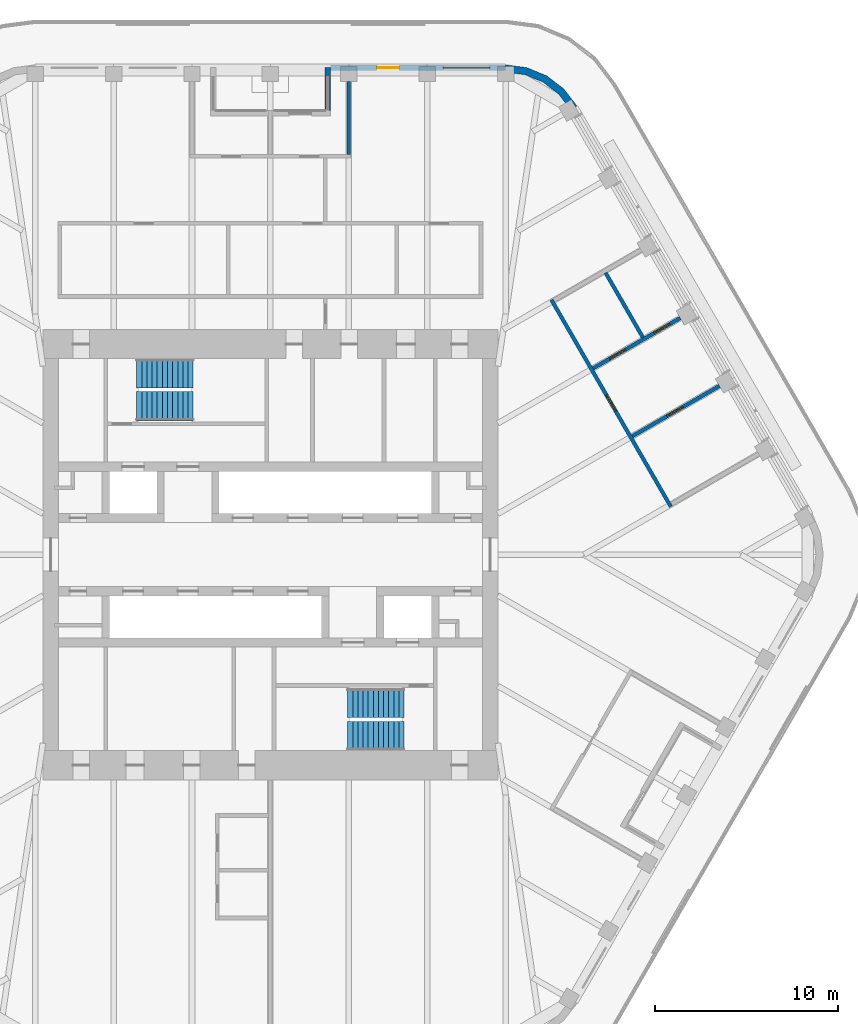
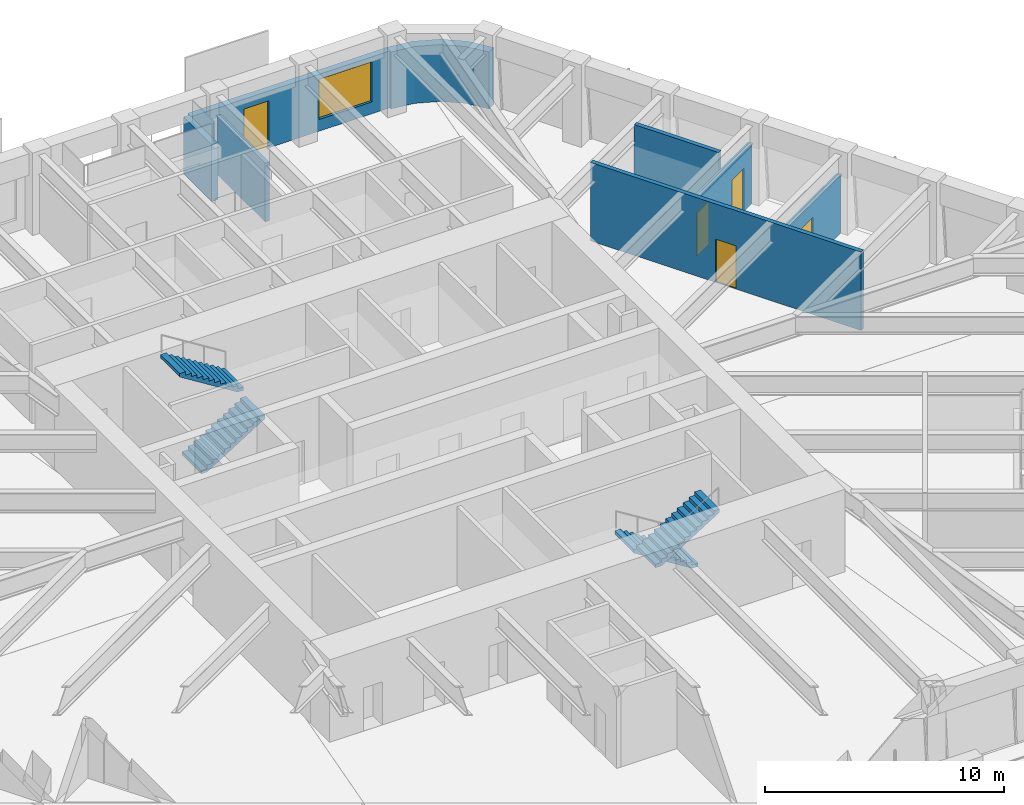
# One storey, part 16 of 19: 8 walls, 5 doors, 4 stair flights, 1 window, 6 openings, 2 elements without a shape of their own.
"""IFC4 building model written with IfcOpenShell, lengths in metres."""

from ifc_helpers import new_model, si_unit, direction, frame, frame_2d, origin, place, context, subcontext, project, spatial, polyline, rectangle, outline, extrude, material, layer, layer_set, type_object, element, fill, aggregate, save


model = new_model("IFC4")

# Units and contexts
model_context = context("Model", 3, precision=1e-05, world=origin(), true_north=direction((0.0, 1.0)))
body_context = subcontext(model_context, "Body", "Model", "MODEL_VIEW")
ifc_project = project(units=[si_unit("LENGTHUNIT", "METRE"), si_unit("AREAUNIT", "SQUARE_METRE"), si_unit("VOLUMEUNIT", "CUBIC_METRE"), si_unit("PLANEANGLEUNIT", "RADIAN"), si_unit("MASSUNIT", "GRAM", prefix="KILO")], contexts=[model_context])

# Site, building, storey
site_placement = place(None, origin())
site = spatial("IfcSite", under=ifc_project, at=site_placement, CompositionType="ELEMENT")
building_placement = place(site_placement, origin())
building = spatial("IfcBuilding", under=site, at=building_placement, Name="Tarfa Lantern Tower", CompositionType="ELEMENT")
storey_placement = place(building_placement, frame((0.0, 0.0, 370.300048828125)))
storey = spatial("IfcBuildingStorey", under=building, at=storey_placement, Name="L84", CompositionType="ELEMENT", Elevation=370.300048828125)

# Wall, openings, door, window
ifc_material_1 = material(Name="Limestone cladding on blockwork", Category="masonry")
ifc_layer_1 = layer(ifc_material_1, 0.300048828125)
ifc_layer_set_1 = layer_set([ifc_layer_1], Name="EW1 STONE-CLAD WALL 300")
wall_type_1 = type_object("IfcWallType", Name="EW1 STONE-CLAD WALL 300", PredefinedType="SOLIDWALL", material=ifc_layer_set_1)
wall_1_placement = place(storey_placement, frame((12.845947265625, 26.60009765625, 0.0), z_axis=(0.0, 0.0, 1.0), x_axis=(-1.0, 0.0, 0.0)))
wall_1 = element("IfcWall", 1, at=wall_1_placement, inside=storey, type_object=wall_type_1, Name="Stone wall N", PredefinedType="SOLIDWALL", context=body_context, shape_type="SweptSolid", body=[
    extrude(rectangle(XDim=9.56396484375, YDim=0.300048828125, at=frame_2d((4.781982421875, 0.0))), origin(), (0.0, 0.0, 1.0), 2.89990234375),
])
opening_1_placement = place(wall_1_placement, frame((0.865966796875, 0.0, 0.60009765625)))
opening_1 = element("IfcOpeningElement", 2, at=opening_1_placement, cuts=wall_1, Name="Opening W17", PredefinedType="OPENING", context=body_context, shape_type="SweptSolid", body=[
    extrude(rectangle(XDim=2.550048828125, YDim=2.050048828125, at=frame_2d((1.27490234375, 1.02490234375))), frame((0.0, 0.159912109375, 0.0), z_axis=(0.0, -1.0, 0.0), x_axis=(1.0, 0.0, 0.0)), (0.0, 0.0, 1.0), 0.320068359375),
])
opening_2_placement = place(wall_1_placement, frame((5.822998046875, 0.0, 0.0)))
opening_2 = element("IfcOpeningElement", 3, at=opening_2_placement, cuts=wall_1, Name="Opening D34", PredefinedType="OPENING", context=body_context, shape_type="SweptSolid", body=[
    extrude(rectangle(XDim=1.199951171875, YDim=2.39990234375, at=frame_2d((0.60009765625, 1.199951171875))), frame((0.0, 0.159912109375, 0.0), z_axis=(0.0, -1.0, 0.0), x_axis=(1.0, 0.0, 0.0)), (0.0, 0.0, 1.0), 0.320068359375),
])
ifc_material_2 = material(Name="Aluminium framed glazed door", Category="aluminium")
door_type_1 = type_object("IfcDoorType", Name="BE3 BALCONY DOOR 1200x2400", OperationType="SINGLE_SWING_RIGHT", PredefinedType="DOOR", material=ifc_material_2)
door_1_placement = place(opening_2_placement, origin())
door_1 = element("IfcDoor", 4, at=door_1_placement, inside=storey, type_object=door_type_1, Name="Balcony door N", OperationType="SINGLE_SWING_LEFT", OverallHeight=2.39990234375, OverallWidth=1.199951171875, PredefinedType="DOOR", context=body_context, shape_type="SweptSolid", body=[
    extrude(rectangle(XDim=1.199951171875, YDim=2.39990234375, at=frame_2d((0.60009765625, 1.199951171875))), frame((0.0, 0.02490234375, 0.0), z_axis=(0.0, -1.0, 0.0), x_axis=(1.0, 0.0, 0.0)), (0.0, 0.0, 1.0), 0.050048828125),
])
fill(opening_2, door_1)
ifc_material_3 = material(Name="Aluminium frame, double glazed", Category="aluminium")
window_type = type_object("IfcWindowType", Name="W17 FULL-HEIGHT GLAZING 2550x2050", PartitioningType="SINGLE_PANEL", PredefinedType="WINDOW", material=ifc_material_3)
window_placement = place(opening_1_placement, origin())
window = element("IfcWindow", 5, at=window_placement, inside=storey, type_object=window_type, Name="Window N 1", OverallHeight=2.050048828125, OverallWidth=2.550048828125, PartitioningType="SINGLE_PANEL", PredefinedType="WINDOW", context=body_context, shape_type="SweptSolid", body=[
    extrude(rectangle(XDim=2.550048828125, YDim=2.050048828125, at=frame_2d((1.27490234375, 1.02490234375))), frame((0.0, 0.030029296875, 0.0), z_axis=(0.0, -1.0, 0.0), x_axis=(1.0, 0.0, 0.0)), (0.0, 0.0, 1.0), 0.06005859375),
])
fill(opening_1, window)

# Walls
wall_2_placement = place(storey_placement, frame((3.132080078125, 26.60009765625, 0.0), z_axis=(0.0, 0.0, 1.0), x_axis=(0.0, -1.0, 0.0)))
element("IfcWall", 6, at=wall_2_placement, inside=storey, type_object=wall_type_1, Name="Terrace return N 1", PredefinedType="SOLIDWALL", context=body_context, shape_type="SweptSolid", body=[
    extrude(rectangle(XDim=2.35009765625, YDim=0.300048828125, at=frame_2d((1.175048828125, 0.0))), origin(), (0.0, 0.0, 1.0), 2.89990234375),
])
ifc_layer_2 = layer(ifc_material_1, 0.39990234375)
ifc_layer_set_2 = layer_set([ifc_layer_2], Name="EW2 CURVED STONE CORNER 400")
wall_type_2 = type_object("IfcWallType", Name="EW2 CURVED STONE CORNER 400", PredefinedType="SOLIDWALL", material=ifc_layer_set_2)
wall_3_placement = place(storey_placement, origin())
element("IfcWall", 7, at=wall_3_placement, inside=storey, type_object=wall_type_2, Name="Stone corner NE-N", PredefinedType="SOLIDWALL", context=body_context, shape_type="SweptSolid", body=[
    extrude(outline(polyline([(16.7431640625, 24.5), (16.028076171875, 25.431884765625), (15.095947265625, 26.147216796875), (14.0107421875, 26.5966796875), (12.845947265625, 26.75), (12.845947265625, 26.35009765625), (13.9072265625, 26.210205078125), (14.89599609375, 25.80078125), (15.7451171875, 25.149169921875), (16.396728515625, 24.300048828125), (16.7431640625, 24.5)])), origin(), (0.0, 0.0, 1.0), 2.89990234375),
])
ifc_material_4 = material(Name="Gypsum board on steel studs", Category="steel")
ifc_layer_3 = layer(ifc_material_4, 0.2099609375)
ifc_layer_set_3 = layer_set([ifc_layer_3], Name="IW2 ACOUSTIC PARTITION 200")
wall_type_3 = type_object("IfcWallType", Name="IW2 ACOUSTIC PARTITION 200", PredefinedType="PARTITIONING", material=ifc_layer_set_3)
wall_4_placement = place(storey_placement, frame((4.281982421875, 21.85009765625, 0.0), z_axis=(0.0, 0.0, 1.0), x_axis=(0.0, 1.0, 0.0)))
element("IfcWall", 8, at=wall_4_placement, inside=storey, type_object=wall_type_3, Name="Partition", PredefinedType="PARTITIONING", context=body_context, shape_type="SweptSolid", body=[
    extrude(rectangle(XDim=4.0, YDim=0.199951171875, at=frame_2d((2.0, 0.0))), origin(), (0.0, 0.0, 1.0), 2.991943359375),
])

# Wall, opening, door
wall_5_placement = place(storey_placement, frame((21.869140625, 2.621826171875, 0.0), z_axis=(0.0, 0.0, 1.0), x_axis=(-0.500013496215, 0.866017611601, 0.0)))
wall_5 = element("IfcWall", 9, at=wall_5_placement, inside=storey, type_object=wall_type_3, Name="Partition", PredefinedType="PARTITIONING", context=body_context, shape_type="SweptSolid", body=[
    extrude(rectangle(XDim=13.046142578125, YDim=0.199951171875, at=frame_2d((6.52294921875, 0.0))), origin(), (0.0, 0.0, 1.0), 4.0),
])
opening_3_placement = place(wall_5_placement, frame((6.02294921875, 0.0, 0.0)))
opening_3 = element("IfcOpeningElement", 10, at=opening_3_placement, cuts=wall_5, Name="Opening D24", PredefinedType="OPENING", context=body_context, shape_type="SweptSolid", body=[
    extrude(rectangle(XDim=1.0, YDim=2.199951171875, at=frame_2d((0.5, 1.10009765625))), frame((0.0, 0.10986328125, 0.0), z_axis=(0.0, -1.0, 0.0), x_axis=(1.0, 0.0, 0.0)), (0.0, 0.0, 1.0), 0.219970703125),
])
ifc_material_5 = material(Name="Timber door", Category="wood")
door_type_2 = type_object("IfcDoorType", Name="DR1 ROOM DOOR 1000x2200", OperationType="SINGLE_SWING_LEFT", PredefinedType="DOOR", material=ifc_material_5)
door_2_placement = place(opening_3_placement, frame((1.0, 0.0, 0.0), z_axis=(0.0, 0.0, 1.0), x_axis=(-1.0, 0.0, 0.0)))
door_2 = element("IfcDoor", 11, at=door_2_placement, inside=storey, type_object=door_type_2, Name="PA area door", OperationType="SINGLE_SWING_LEFT", OverallHeight=2.199951171875, OverallWidth=1.0, PredefinedType="DOOR", context=body_context, shape_type="SweptSolid", body=[
    extrude(rectangle(XDim=1.0, YDim=2.199951171875, at=frame_2d((0.5, 1.10009765625))), frame((0.0, 0.02490234375, 0.0), z_axis=(0.0, -1.0, 0.0), x_axis=(1.0, 0.0, 0.0)), (0.0, 0.0, 1.0), 0.050048828125),
])
fill(opening_3, door_2)

wall_6_placement = place(storey_placement, frame((19.7646484375, 6.466552734375, 0.0), z_axis=(0.0, 0.0, 1.0), x_axis=(0.866027397988, 0.499996545922, 0.0)))
wall_6 = element("IfcWall", 12, at=wall_6_placement, inside=storey, type_object=wall_type_3, Name="Partition", PredefinedType="PARTITIONING", context=body_context, shape_type="SweptSolid", body=[
    extrude(rectangle(XDim=5.5, YDim=0.199951171875, at=frame_2d((2.75, 0.0))), origin(), (0.0, 0.0, 1.0), 2.991943359375),
])
opening_4_placement = place(wall_6_placement, frame((2.199951171875, 0.0, 0.0)))
opening_4 = element("IfcOpeningElement", 13, at=opening_4_placement, cuts=wall_6, Name="Opening D23", PredefinedType="OPENING", context=body_context, shape_type="SweptSolid", body=[
    extrude(rectangle(XDim=1.0, YDim=2.199951171875, at=frame_2d((0.5, 1.10009765625))), frame((0.0, 0.10986328125, 0.0), z_axis=(0.0, -1.0, 0.0), x_axis=(1.0, 0.0, 0.0)), (0.0, 0.0, 1.0), 0.219970703125),
])
door_3_placement = place(opening_4_placement, frame((1.0, 0.0, 0.0), z_axis=(0.0, 0.0, 1.0), x_axis=(-1.0, 0.0, 0.0)))
door_3 = element("IfcDoor", 14, at=door_3_placement, inside=storey, type_object=door_type_2, Name="Executive office door", OperationType="SINGLE_SWING_LEFT", OverallHeight=2.199951171875, OverallWidth=1.0, PredefinedType="DOOR", context=body_context, shape_type="SweptSolid", body=[
    extrude(rectangle(XDim=1.0, YDim=2.199951171875, at=frame_2d((0.5, 1.10009765625))), frame((0.0, 0.02490234375, 0.0), z_axis=(0.0, -1.0, 0.0), x_axis=(1.0, 0.0, 0.0)), (0.0, 0.0, 1.0), 0.050048828125),
])
fill(opening_4, door_3)

# Wall, openings, doors
wall_7_placement = place(storey_placement, frame((17.62353515625, 10.175048828125, 0.0), z_axis=(0.0, 0.0, 1.0), x_axis=(0.866027397988, 0.499996545922, 0.0)))
wall_7 = element("IfcWall", 15, at=wall_7_placement, inside=storey, type_object=wall_type_3, Name="Partition", PredefinedType="PARTITIONING", context=body_context, shape_type="SweptSolid", body=[
    extrude(rectangle(XDim=5.5, YDim=0.199951171875, at=frame_2d((2.75, 0.0))), origin(), (0.0, 0.0, 1.0), 3.08154296875),
])
opening_5_placement = place(wall_7_placement, frame((1.050048828125, 0.0, 0.0)))
opening_5 = element("IfcOpeningElement", 16, at=opening_5_placement, cuts=wall_7, Name="Opening D25", PredefinedType="OPENING", context=body_context, shape_type="SweptSolid", body=[
    extrude(rectangle(XDim=1.0, YDim=2.199951171875, at=frame_2d((0.5, 1.10009765625))), frame((0.0, 0.10986328125, 0.0), z_axis=(0.0, -1.0, 0.0), x_axis=(1.0, 0.0, 0.0)), (0.0, 0.0, 1.0), 0.219970703125),
])
opening_6_placement = place(wall_7_placement, frame((3.85009765625, 0.0, 0.0)))
opening_6 = element("IfcOpeningElement", 17, at=opening_6_placement, cuts=wall_7, Name="Opening D26", PredefinedType="OPENING", context=body_context, shape_type="SweptSolid", body=[
    extrude(rectangle(XDim=1.0, YDim=2.199951171875, at=frame_2d((0.5, 1.10009765625))), frame((0.0, 0.10986328125, 0.0), z_axis=(0.0, -1.0, 0.0), x_axis=(1.0, 0.0, 0.0)), (0.0, 0.0, 1.0), 0.219970703125),
])
door_4_placement = place(opening_5_placement, origin())
door_4 = element("IfcDoor", 18, at=door_4_placement, inside=storey, type_object=door_type_2, Name="Meeting room door", OperationType="SINGLE_SWING_RIGHT", OverallHeight=2.199951171875, OverallWidth=1.0, PredefinedType="DOOR", context=body_context, shape_type="SweptSolid", body=[
    extrude(rectangle(XDim=1.0, YDim=2.199951171875, at=frame_2d((0.5, 1.10009765625))), frame((0.0, 0.02490234375, 0.0), z_axis=(0.0, -1.0, 0.0), x_axis=(1.0, 0.0, 0.0)), (0.0, 0.0, 1.0), 0.050048828125),
])
fill(opening_5, door_4)
door_5_placement = place(opening_6_placement, origin())
door_5 = element("IfcDoor", 19, at=door_5_placement, inside=storey, type_object=door_type_2, Name="Private lounge door", OperationType="SINGLE_SWING_RIGHT", OverallHeight=2.199951171875, OverallWidth=1.0, PredefinedType="DOOR", context=body_context, shape_type="SweptSolid", body=[
    extrude(rectangle(XDim=1.0, YDim=2.199951171875, at=frame_2d((0.5, 1.10009765625))), frame((0.0, 0.02490234375, 0.0), z_axis=(0.0, -1.0, 0.0), x_axis=(1.0, 0.0, 0.0)), (0.0, 0.0, 1.0), 0.050048828125),
])
fill(opening_6, door_5)

# Wall
wall_8_placement = place(storey_placement, frame((20.344970703125, 11.861572265625, 0.0), z_axis=(0.0, 0.0, 1.0), x_axis=(-0.499998569178, 0.866026229868, 0.0)))
element("IfcWall", 20, at=wall_8_placement, inside=storey, type_object=wall_type_3, Name="Partition", PredefinedType="PARTITIONING", context=body_context, shape_type="SweptSolid", body=[
    extrude(rectangle(XDim=4.08203125, YDim=0.199951171875, at=frame_2d((2.041015625, 0.0))), origin(), (0.0, 0.0, 1.0), 4.0),
])

# Stair, stair flights
ifc_material_6 = material(Name="Concrete C40/50", Category="concrete")
stair_type = type_object("IfcStairType", Name="ST-T10 HALF-TURN STAIR 4200 RISE", PredefinedType="HALF_TURN_STAIR", material=ifc_material_6)
stair_1_placement = place(storey_placement, origin())
stair_1 = element("IfcStair", 21, at=stair_1_placement, inside=storey, type_object=stair_type, Name="Stair ST1", PredefinedType="HALF_TURN_STAIR")
stair_flight_type = type_object("IfcStairFlightType", Name="SF1 STAIR FLIGHT", PredefinedType="STRAIGHT", material=ifc_material_6)
stair_flight_1_placement = place(storey_placement, frame((-7.300048828125, 8.10009765625, 0.0), z_axis=(0.0, 0.0, 1.0), x_axis=(1.0, 0.0, 0.0)))
stair_flight_1 = element("IfcStairFlight", 22, at=stair_flight_1_placement, type_object=stair_flight_type, Name="ST1 flight 1", NumberOfRisers=12, NumberOfTreads=11, PredefinedType="STRAIGHT", RiserHeight=0.175, TreadLength=0.28, context=body_context, shape_type="SweptSolid", body=[
    extrude(outline(polyline([(0.0, 0.0), (0.0, 0.175048828125), (0.280029296875, 0.175048828125), (0.280029296875, 0.35009765625), (0.56005859375, 0.35009765625), (0.56005859375, 0.52490234375), (0.840087890625, 0.52490234375), (0.840087890625, 0.699951171875), (1.1201171875, 0.699951171875), (1.1201171875, 0.875), (1.39990234375, 0.875), (1.39990234375, 1.050048828125), (1.679931640625, 1.050048828125), (1.679931640625, 1.22509765625), (1.9599609375, 1.22509765625), (1.9599609375, 1.39990234375), (2.239990234375, 1.39990234375), (2.239990234375, 1.574951171875), (2.52001953125, 1.574951171875), (2.52001953125, 1.75), (2.800048828125, 1.75), (2.800048828125, 1.925048828125), (3.080078125, 1.925048828125), (3.080078125, 2.10009765625), (3.080078125, 1.748291015625), (0.28271484375, 0.0), (0.0, 0.0)])), frame((0.0, 0.800048828125, 0.0), z_axis=(0.0, -1.0, 0.0), x_axis=(1.0, 0.0, 0.0)), (0.0, 0.0, 1.0), 1.60009765625),
])
stair_flight_2_placement = place(storey_placement, frame((-4.219970703125, 9.89990234375, 2.099853515625), z_axis=(0.0, 0.0, 1.0), x_axis=(-1.0, 0.0, 0.0)))
stair_flight_2 = element("IfcStairFlight", 23, at=stair_flight_2_placement, type_object=stair_flight_type, Name="ST1 flight 2", NumberOfRisers=12, NumberOfTreads=11, PredefinedType="STRAIGHT", RiserHeight=0.175, TreadLength=0.28, context=body_context, shape_type="SweptSolid", body=[
    extrude(outline(polyline([(0.0, 0.0), (0.0, 0.175048828125), (0.280029296875, 0.175048828125), (0.280029296875, 0.35009765625), (0.56005859375, 0.35009765625), (0.56005859375, 0.52490234375), (0.840087890625, 0.52490234375), (0.840087890625, 0.699951171875), (1.1201171875, 0.699951171875), (1.1201171875, 0.875), (1.39990234375, 0.875), (1.39990234375, 1.050048828125), (1.679931640625, 1.050048828125), (1.679931640625, 1.22509765625), (1.9599609375, 1.22509765625), (1.9599609375, 1.39990234375), (2.239990234375, 1.39990234375), (2.239990234375, 1.574951171875), (2.52001953125, 1.574951171875), (2.52001953125, 1.75), (2.800048828125, 1.75), (2.800048828125, 1.925048828125), (3.080078125, 1.925048828125), (3.080078125, 2.10009765625), (3.080078125, 1.748291015625), (0.28271484375, 0.0), (0.0, 0.0)])), frame((0.0, 0.800048828125, 0.0), z_axis=(0.0, -1.0, 0.0), x_axis=(1.0, 0.0, 0.0)), (0.0, 0.0, 1.0), 1.60009765625),
])
aggregate(stair_1, [stair_flight_1, stair_flight_2])

stair_2_placement = place(storey_placement, origin())
stair_2 = element("IfcStair", 24, at=stair_2_placement, inside=storey, type_object=stair_type, Name="Stair ST2", PredefinedType="HALF_TURN_STAIR")
stair_flight_3_placement = place(storey_placement, frame((7.300048828125, -8.10009765625, 0.0), z_axis=(0.0, 0.0, 1.0), x_axis=(-1.0, 0.0, 0.0)))
stair_flight_3 = element("IfcStairFlight", 25, at=stair_flight_3_placement, type_object=stair_flight_type, Name="ST2 flight 1", NumberOfRisers=12, NumberOfTreads=11, PredefinedType="STRAIGHT", RiserHeight=0.175, TreadLength=0.28, context=body_context, shape_type="SweptSolid", body=[
    extrude(outline(polyline([(0.0, 0.0), (0.0, 0.175048828125), (0.280029296875, 0.175048828125), (0.280029296875, 0.35009765625), (0.56005859375, 0.35009765625), (0.56005859375, 0.52490234375), (0.840087890625, 0.52490234375), (0.840087890625, 0.699951171875), (1.1201171875, 0.699951171875), (1.1201171875, 0.875), (1.39990234375, 0.875), (1.39990234375, 1.050048828125), (1.679931640625, 1.050048828125), (1.679931640625, 1.22509765625), (1.9599609375, 1.22509765625), (1.9599609375, 1.39990234375), (2.239990234375, 1.39990234375), (2.239990234375, 1.574951171875), (2.52001953125, 1.574951171875), (2.52001953125, 1.75), (2.800048828125, 1.75), (2.800048828125, 1.925048828125), (3.080078125, 1.925048828125), (3.080078125, 2.10009765625), (3.080078125, 1.748291015625), (0.28271484375, 0.0), (0.0, 0.0)])), frame((0.0, 0.800048828125, 0.0), z_axis=(0.0, -1.0, 0.0), x_axis=(1.0, 0.0, 0.0)), (0.0, 0.0, 1.0), 1.60009765625),
])
stair_flight_4_placement = place(storey_placement, frame((4.219970703125, -9.89990234375, 2.099853515625), z_axis=(0.0, 0.0, 1.0), x_axis=(1.0, 0.0, 0.0)))
stair_flight_4 = element("IfcStairFlight", 26, at=stair_flight_4_placement, type_object=stair_flight_type, Name="ST2 flight 2", NumberOfRisers=12, NumberOfTreads=11, PredefinedType="STRAIGHT", RiserHeight=0.175, TreadLength=0.28, context=body_context, shape_type="SweptSolid", body=[
    extrude(outline(polyline([(0.0, 0.0), (0.0, 0.175048828125), (0.280029296875, 0.175048828125), (0.280029296875, 0.35009765625), (0.56005859375, 0.35009765625), (0.56005859375, 0.52490234375), (0.840087890625, 0.52490234375), (0.840087890625, 0.699951171875), (1.1201171875, 0.699951171875), (1.1201171875, 0.875), (1.39990234375, 0.875), (1.39990234375, 1.050048828125), (1.679931640625, 1.050048828125), (1.679931640625, 1.22509765625), (1.9599609375, 1.22509765625), (1.9599609375, 1.39990234375), (2.239990234375, 1.39990234375), (2.239990234375, 1.574951171875), (2.52001953125, 1.574951171875), (2.52001953125, 1.75), (2.800048828125, 1.75), (2.800048828125, 1.925048828125), (3.080078125, 1.925048828125), (3.080078125, 2.10009765625), (3.080078125, 1.748291015625), (0.28271484375, 0.0), (0.0, 0.0)])), frame((0.0, 0.800048828125, 0.0), z_axis=(0.0, -1.0, 0.0), x_axis=(1.0, 0.0, 0.0)), (0.0, 0.0, 1.0), 1.60009765625),
])
aggregate(stair_2, [stair_flight_3, stair_flight_4])

save(model, "model.ifc")
